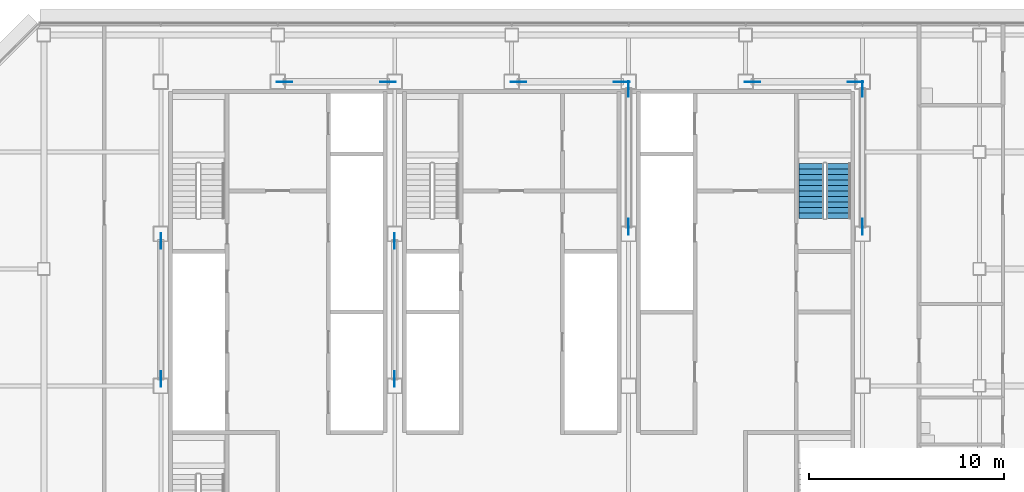
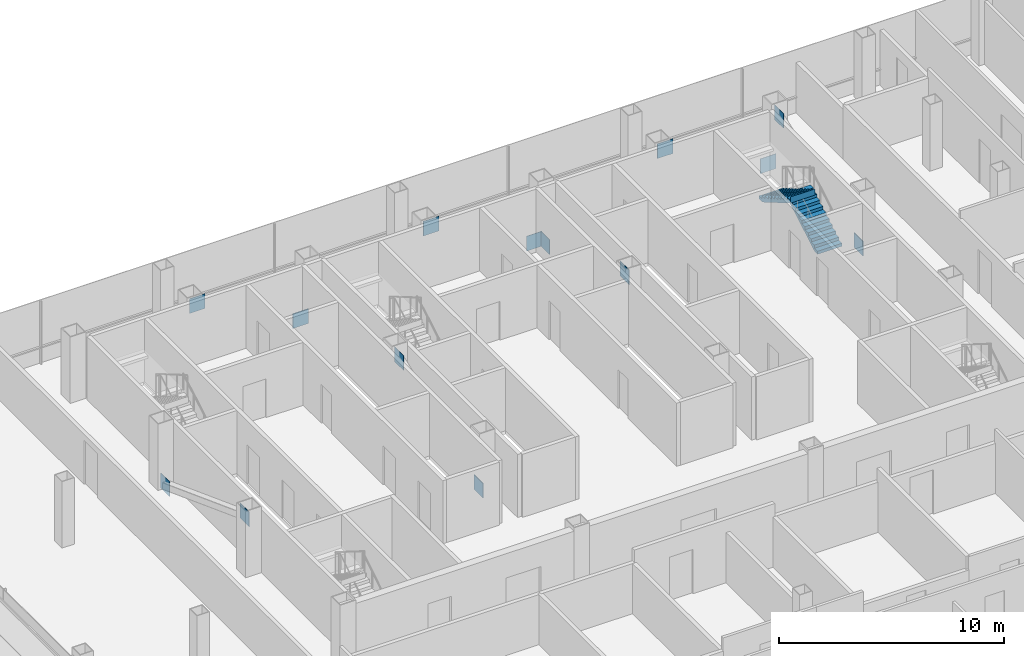
# One storey, part 24 of 26: 14 discrete accessories, 2 stair flights, 1 element without a shape of its own.
"""IFC4 building model written with IfcOpenShell, lengths in metres."""

import ifcopenshell
import ifcopenshell.guid

model = None  # the IFC model being written
_history = None  # IfcOwnerHistory: only IFC2X3 demands one
_inside = {}  # id of a spatial element -> (the spatial element, [elements in it])
_under = {}  # id of a project, library or spatial element -> (it, [spatial elements below it])
_declared = {}  # id of a project -> (the project, [libraries it declares])
_typed = {}  # id of a type object -> (the type object, [elements of that type])
_made_of = {}  # id of a material, layer set ... -> (it, [elements and type objects made of it])


def new_model(schema):
    """Start an empty IFC model of exactly this schema.

    Asked for "IFC4X3", IfcOpenShell would pick the latest addendum, in which some entities
    have other attributes; the version numbers below select the first issue.
    IFC2X3 requires an IfcOwnerHistory on every rooted entity: one is made here for all.
    """
    global model, _history
    if schema == "IFC4X3":
        model = ifcopenshell.file(schema_version=(4, 3, 0, 0))
    else:
        model = ifcopenshell.file(schema=schema)
    _inside.clear()
    _under.clear()
    _declared.clear()
    _typed.clear()
    _made_of.clear()
    _history = None
    if model.schema == "IFC2X3":
        org = make("IfcOrganization", Name="unknown")
        user = make(
            "IfcPersonAndOrganization",
            ThePerson=make("IfcPerson", FamilyName="unknown"),
            TheOrganization=org,
        )
        app = make(
            "IfcApplication",
            ApplicationDeveloper=org,
            Version="unknown",
            ApplicationFullName="unknown",
            ApplicationIdentifier="unknown",
        )
        _history = make(
            "IfcOwnerHistory",
            OwningUser=user,
            OwningApplication=app,
            ChangeAction="ADDED",
            CreationDate=0,
        )
    return model


def make(cls, **values):
    """One entity of the class cls with the attributes given. An attribute that is None is left unset."""
    return model.create_entity(
        cls, **{name: value for name, value in values.items() if value is not None}
    )


def rooted(cls, **values):
    """An entity with a GlobalId (a new one), such as an element, a storey or a relation."""
    return make(cls, GlobalId=ifcopenshell.guid.new(), OwnerHistory=_history, **values)


def si_unit(unit_type, name, prefix=None):
    """IfcSIUnit, for example si_unit("LENGTHUNIT", "METRE", prefix="MILLI")."""
    return make("IfcSIUnit", UnitType=unit_type, Prefix=prefix, Name=name)


def assignment(units):
    """IfcUnitAssignment: the units of a project."""
    return None if units is None else make("IfcUnitAssignment", Units=units)


def point(xyz):
    """IfcCartesianPoint."""
    return None if xyz is None else make("IfcCartesianPoint", Coordinates=xyz)


def direction(xyz):
    """IfcDirection."""
    return None if xyz is None else make("IfcDirection", DirectionRatios=xyz)


def frame(location, z_axis=None, x_axis=None):
    """IfcAxis2Placement3D, a coordinate frame: its origin and axes. An axis left out is left unset."""
    return make(
        "IfcAxis2Placement3D",
        Location=point(location),
        Axis=direction(z_axis),
        RefDirection=direction(x_axis),
    )


def frame_2d(location, x_axis=None):
    """IfcAxis2Placement2D, a coordinate frame in the plane: its origin and x axis."""
    return make(
        "IfcAxis2Placement2D", Location=point(location), RefDirection=direction(x_axis)
    )


def origin():
    """The frame at (0, 0, 0) with its axes left unset."""
    return frame((0.0, 0.0, 0.0))


def origin_2d():
    """The frame at (0, 0) in the plane with its x axis left unset."""
    return frame_2d((0.0, 0.0))


def place(relative_to, where):
    """IfcLocalPlacement: puts the frame where relative to a parent placement (None: the world)."""
    return make(
        "IfcLocalPlacement", PlacementRelTo=relative_to, RelativePlacement=where
    )


def context(
    kind, dimensions, precision=None, world=None, true_north=None, identifier=None
):
    """IfcGeometricRepresentationContext, for example the 3D "Model" context."""
    return make(
        "IfcGeometricRepresentationContext",
        ContextIdentifier=identifier,
        ContextType=kind,
        CoordinateSpaceDimension=dimensions,
        Precision=precision,
        WorldCoordinateSystem=world,
        TrueNorth=true_north,
    )


def subcontext(parent, identifier, kind, view, scale=None):
    """IfcGeometricRepresentationSubContext, for example "Body" below "Model"."""
    return make(
        "IfcGeometricRepresentationSubContext",
        ContextIdentifier=identifier,
        ContextType=kind,
        ParentContext=parent,
        TargetScale=scale,
        TargetView=view,
    )


def project(units=None, contexts=None):
    """IfcProject with its units and contexts."""
    return rooted(
        "IfcProject",
        Name="project",
        RepresentationContexts=contexts,
        UnitsInContext=assignment(units),
    )


def spatial(cls, under=None, at=None, **own):
    """A site, building, storey or space (cls), placed at a placement, below another one or the project."""
    s = rooted(cls, ObjectPlacement=at, **own)
    if under is not None:
        _under.setdefault(under.id(), (under, []))[1].append(s)
    return s


def polyline(points):
    """IfcPolyline through the points."""
    return make("IfcPolyline", Points=[point(p) for p in points])


def profile(cls, at=None, kind="AREA", **sizes):
    """A parametric profile (cls). Its sizes go by their IFC names, for example OverallWidth=200.0."""
    return make(cls, ProfileType=kind, Position=at, **sizes)


def rectangle(**sizes):
    """IfcRectangleProfileDef."""
    return profile("IfcRectangleProfileDef", **sizes)


def outline(outer, holes=None, kind="AREA"):
    """IfcArbitraryClosedProfileDef: a profile drawn as a closed curve; with holes, ...WithVoids."""
    if holes is None:
        return make("IfcArbitraryClosedProfileDef", ProfileType=kind, OuterCurve=outer)
    return make(
        "IfcArbitraryProfileDefWithVoids",
        ProfileType=kind,
        OuterCurve=outer,
        InnerCurves=holes,
    )


def extrude(swept, where, along, depth):
    """IfcExtrudedAreaSolid: the profile swept, set in the frame where, extruded along a direction by depth."""
    return make(
        "IfcExtrudedAreaSolid",
        SweptArea=swept,
        Position=where,
        ExtrudedDirection=direction(along),
        Depth=depth,
    )


def shape(context_of_items, identifier, shape_type, items):
    """IfcShapeRepresentation: the items that make up one representation, for example the "Body"."""
    return make(
        "IfcShapeRepresentation",
        ContextOfItems=context_of_items,
        RepresentationIdentifier=identifier,
        RepresentationType=shape_type,
        Items=items,
    )


def material(Name=None, Category=None):
    """IfcMaterial."""
    return make("IfcMaterial", Name=Name, Category=Category)


def layer(
    of_material, thickness, ventilated=None, Name=None, Category=None, Priority=None
):
    """IfcMaterialLayer: one layer of a wall or slab, of a material (None: an air gap)."""
    return make(
        "IfcMaterialLayer",
        Material=of_material,
        LayerThickness=thickness,
        IsVentilated=ventilated,
        Name=Name,
        Category=Category,
        Priority=Priority,
    )


def layer_set(layers, Name=None):
    """IfcMaterialLayerSet."""
    return make("IfcMaterialLayerSet", MaterialLayers=layers, LayerSetName=Name)


def made_of(thing, what):
    """Note that an element or type object is made of a material, layer set ...; save() writes the relation."""
    if what is not None:
        _made_of.setdefault(what.id(), (what, []))[1].append(thing)
    return thing


def type_object(cls, material=None, **own):
    """A type object (cls), such as IfcWallType, which elements share."""
    return made_of(rooted(cls, **own), material)


def element(
    cls,
    number,
    at=None,
    inside=None,
    cuts=None,
    type_object=None,
    material=None,
    context=None,
    identifier="Body",
    shape_type=None,
    held_by="IfcProductDefinitionShape",
    body=None,
    shapes=None,
    **own,
):
    """One element of the class cls, such as IfcWall. Its Tag is "e" and its number.

    at: its placement. inside: the storey or other place that contains it. cuts: it is an
    opening in that element (IfcRelVoidsElement). A single representation is given by context,
    identifier, shape_type and body (its items); several are given by shapes. held_by: the class
    of the entity that holds the representations. save() writes the other relations.
    """
    e = rooted(cls, Tag="e%d" % number, ObjectPlacement=at, **own)
    if body is not None:
        shapes = [shape(context, identifier, shape_type, body)]
    if shapes is not None:
        e.Representation = make(held_by, Representations=shapes)
    if inside is not None:
        _inside.setdefault(inside.id(), (inside, []))[1].append(e)
    if cuts is not None:
        rooted(
            "IfcRelVoidsElement", RelatingBuildingElement=cuts, RelatedOpeningElement=e
        )
    if type_object is not None:
        _typed.setdefault(type_object.id(), (type_object, []))[1].append(e)
    return made_of(e, material)


def aggregate(whole, parts):
    """IfcRelAggregates: a whole, such as a stair, and the parts it consists of."""
    return rooted("IfcRelAggregates", RelatingObject=whole, RelatedObjects=parts)


def save(model, path):
    """Write the relations noted so far, then the file.

    IfcRelAggregates (storeys below a building ...), IfcRelContainedInSpatialStructure (elements
    in a storey), IfcRelDefinesByType, IfcRelAssociatesMaterial and IfcRelDeclares: one each for
    every whole, place, type object, material and project.
    """
    for whole, parts in _under.values():
        aggregate(whole, parts)
    for where, things in _inside.values():
        rooted(
            "IfcRelContainedInSpatialStructure",
            RelatedElements=things,
            RelatingStructure=where,
        )
    for kind, things in _typed.values():
        rooted("IfcRelDefinesByType", RelatedObjects=things, RelatingType=kind)
    for what, things in _made_of.values():
        rooted("IfcRelAssociatesMaterial", RelatedObjects=things, RelatingMaterial=what)
    for by, libraries in _declared.values():
        rooted("IfcRelDeclares", RelatingContext=by, RelatedDefinitions=libraries)
    model.write(path)


model = new_model("IFC4")

# Units and contexts
model_context = context("Model", 3, precision=1e-05, world=origin(), true_north=direction((0.0, 1.0)))
body_context = subcontext(model_context, "Body", "Model", "MODEL_VIEW")
ifc_project = project(units=[si_unit("LENGTHUNIT", "METRE"), si_unit("AREAUNIT", "SQUARE_METRE"), si_unit("VOLUMEUNIT", "CUBIC_METRE"), si_unit("PLANEANGLEUNIT", "RADIAN"), si_unit("MASSUNIT", "GRAM", prefix="KILO")], contexts=[model_context])

# Site, building, storey
site_placement = place(None, origin())
site = spatial("IfcSite", under=ifc_project, at=site_placement, CompositionType="ELEMENT")
building_placement = place(site_placement, origin())
building = spatial("IfcBuilding", under=site, at=building_placement, Name="Sorahane Residences", CompositionType="ELEMENT")
storey_placement = place(building_placement, frame((0.0, 0.0, 154.60009765625)))
storey = spatial("IfcBuildingStorey", under=building, at=storey_placement, Name="L35", CompositionType="ELEMENT", Elevation=154.60009765625)

# Stair, stair flights
ifc_material_1 = material(Name="Concrete C40", Category="concrete")
stair_type = type_object("IfcStairType", Name="Dog-leg stair 1250 Concrete C40", PredefinedType="HALF_TURN_STAIR", material=ifc_material_1)
stair_placement = place(storey_placement, origin())
stair = element("IfcStair", 1, at=stair_placement, inside=storey, type_object=stair_type, Name="L35 Stair S2", PredefinedType="HALF_TURN_STAIR")
ifc_material_2 = material(Name="Concrete C40", Category="concrete")
stair_flight_type = type_object("IfcStairFlightType", Name="Stair flight 1250 Concrete C40", PredefinedType="STRAIGHT", material=ifc_material_2)
stair_flight_1_placement = place(storey_placement, frame((40.77490234375, 38.60009765625, 0.0), z_axis=(0.0, 0.0, 1.0), x_axis=(0.0, 1.0, 0.0)))
stair_flight_1 = element("IfcStairFlight", 2, at=stair_flight_1_placement, type_object=stair_flight_type, Name="S2 flight 1", NumberOfRisers=11, NumberOfTreads=10, PredefinedType="STRAIGHT", RiserHeight=0.163636364, TreadLength=0.28, context=body_context, shape_type="SweptSolid", body=[
    extrude(outline(polyline([(-0.00146484375, 0.0), (-0.00146484375, 0.16357421875), (0.0, 0.16357421875), (0.280029296875, 0.16357421875), (0.280029296875, 0.327392578125), (0.56005859375, 0.327392578125), (0.56005859375, 0.490966796875), (0.840087890625, 0.490966796875), (0.840087890625, 0.654541015625), (1.1201171875, 0.654541015625), (1.1201171875, 0.818115234375), (1.39990234375, 0.818115234375), (1.39990234375, 0.98193359375), (1.679931640625, 0.98193359375), (1.679931640625, 1.1455078125), (1.9599609375, 1.1455078125), (1.9599609375, 1.30908203125), (2.239990234375, 1.30908203125), (2.239990234375, 1.47265625), (2.52001953125, 1.47265625), (2.52001953125, 1.636474609375), (2.800048828125, 1.636474609375), (2.800048828125, 1.800048828125), (2.800048828125, 1.462646484375), (2.59130859375, 1.3408203125), (2.3828125, 1.218994140625), (2.17431640625, 1.09716796875), (1.965576171875, 0.97509765625), (1.757080078125, 0.853271484375), (1.548583984375, 0.7314453125), (1.340087890625, 0.609375), (1.13134765625, 0.487548828125), (0.9228515625, 0.36572265625), (0.71435546875, 0.243896484375), (0.505615234375, 0.121826171875), (0.297119140625, 0.0), (-0.00146484375, 0.0)])), frame((0.0, 0.625, 0.0), z_axis=(0.0, -1.0, 0.0), x_axis=(1.0, 0.0, 0.0)), (0.0, 0.0, 1.0), 1.25),
])
stair_flight_2_placement = place(storey_placement, frame((39.375, 41.39990234375, 1.7998046875), z_axis=(0.0, 0.0, 1.0), x_axis=(0.0, -1.0, 0.0)))
stair_flight_2 = element("IfcStairFlight", 3, at=stair_flight_2_placement, type_object=stair_flight_type, Name="S2 flight 2", NumberOfRisers=11, NumberOfTreads=10, PredefinedType="STRAIGHT", RiserHeight=0.163636364, TreadLength=0.28, context=body_context, shape_type="SweptSolid", body=[
    extrude(outline(polyline([(0.0, 0.0), (0.0, 0.16357421875), (0.280029296875, 0.16357421875), (0.280029296875, 0.327392578125), (0.56005859375, 0.327392578125), (0.56005859375, 0.490966796875), (0.840087890625, 0.490966796875), (0.840087890625, 0.654541015625), (1.1201171875, 0.654541015625), (1.1201171875, 0.818115234375), (1.39990234375, 0.818115234375), (1.39990234375, 0.98193359375), (1.679931640625, 0.98193359375), (1.679931640625, 1.1455078125), (1.9599609375, 1.1455078125), (1.9599609375, 1.30908203125), (2.239990234375, 1.30908203125), (2.239990234375, 1.47265625), (2.52001953125, 1.47265625), (2.52001953125, 1.636474609375), (2.800048828125, 1.636474609375), (2.800048828125, 1.800048828125), (2.801513671875, 1.800048828125), (2.801513671875, 1.462646484375), (2.5927734375, 1.3408203125), (2.384033203125, 1.218994140625), (2.17529296875, 1.09716796875), (1.966796875, 0.97509765625), (1.758056640625, 0.853271484375), (1.54931640625, 0.7314453125), (1.340576171875, 0.609375), (1.1318359375, 0.487548828125), (0.923095703125, 0.36572265625), (0.714599609375, 0.243896484375), (0.505859375, 0.121826171875), (0.297119140625, 0.0), (0.0, 0.0)])), frame((0.0, 0.625, 0.0), z_axis=(0.0, -1.0, 0.0), x_axis=(1.0, 0.0, 0.0)), (0.0, 0.0, 1.0), 1.25),
])
aggregate(stair, [stair_flight_1, stair_flight_2])

# Discrete accessories
ifc_material_3 = material(Name="Steel Q355B", Category="steel")
ifc_layer = layer(ifc_material_3, 0.02490234375)
ifc_layer_set = layer_set([ifc_layer], Name="Node plate Steel Q355B 25")
discrete_accessory_type = type_object("IfcDiscreteAccessoryType", Name="Node plate Steel Q355B 25", PredefinedType="BRACKET", material=ifc_layer_set)
for number, where, z_axis, x_axis, name in (
    (4, (6.0, 37.436767578125, -0.23876953125), (0.0, 0.0, 1.0), (0.0, 1.0, 0.0), "Node plate L35 br"),
    (5, (6.0, 30.36328125, 2.40869140625), (0.0, 0.0, 1.0), (0.0, 1.0, 0.0), "Node plate L35 br"),
    (6, (18.0, 30.36328125, -0.23876953125), (0.0, 0.0, 1.0), (0.0, 1.0, 0.0), "Node plate L35 br"),
    (7, (18.0, 37.436767578125, 2.40869140625), (0.0, 0.0, 1.0), (0.0, 1.0, 0.0), "Node plate L35 br"),
    (8, (30.0, 45.23681640625, -0.23876953125), (0.0, 0.0, 1.0), (0.0, 1.0, 0.0), "Node plate L35 br"),
    (9, (30.0, 38.1630859375, 2.40869140625), (0.0, 0.0, 1.0), (0.0, 1.0, 0.0), "Node plate L35 br"),
    (10, (42.0, 38.1630859375, -0.23876953125), (0.0, 0.0, 1.0), (0.0, 1.0, 0.0), "Node plate L35 br"),
    (11, (42.0, 45.23681640625, 2.40869140625), (0.0, 0.0, 1.0), (0.0, 1.0, 0.0), "Node plate L35 br"),
    (12, (17.647216796875, 45.60009765625, -0.2490234375), (0.0, 0.0, 1.0), (1.0, 0.0, 0.0), "Node plate L35 br"),
    (13, (29.647216796875, 45.60009765625, -0.2490234375), (0.0, 0.0, 1.0), (1.0, 0.0, 0.0), "Node plate L35 br"),
    (14, (41.647216796875, 45.60009765625, -0.2490234375), (0.0, 0.0, 1.0), (1.0, 0.0, 0.0), "Node plate L35 br"),
    (15, (12.352783203125, 45.60009765625, 2.41845703125), (0.0, 0.0, 1.0), (1.0, 0.0, 0.0), "Node plate L35 br"),
    (16, (24.352783203125, 45.60009765625, 2.41845703125), (0.0, 0.0, 1.0), (1.0, 0.0, 0.0), "Node plate L35 br"),
    (17, (36.352783203125, 45.60009765625, 2.41845703125), (0.0, 0.0, 1.0), (1.0, 0.0, 0.0), "Node plate L35 br"),
):
    element("IfcDiscreteAccessory", number, at=place(storey_placement, frame(where, z_axis=z_axis, x_axis=x_axis)), inside=storey, type_object=discrete_accessory_type, Name=name, PredefinedType="BRACKET", context=body_context, shape_type="SweptSolid", body=[
        extrude(rectangle(XDim=0.800048828125, YDim=0.02490234375, at=origin_2d()), origin(), (0.0, 0.0, 1.0), 0.800048828125),
    ])

save(model, "model.ifc")
